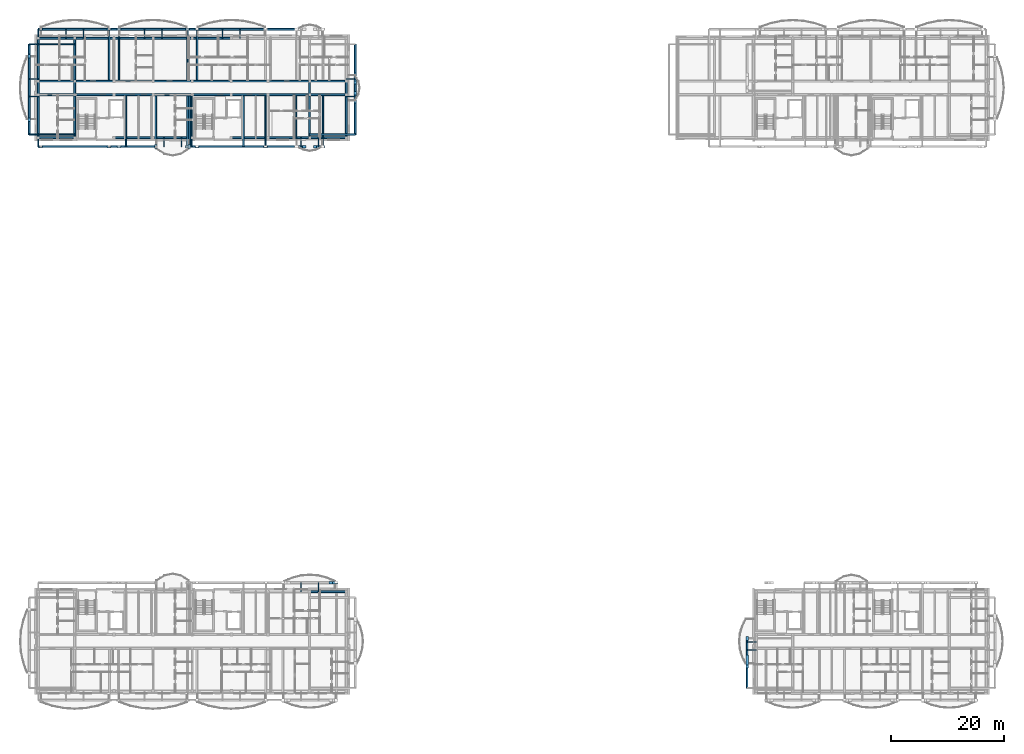
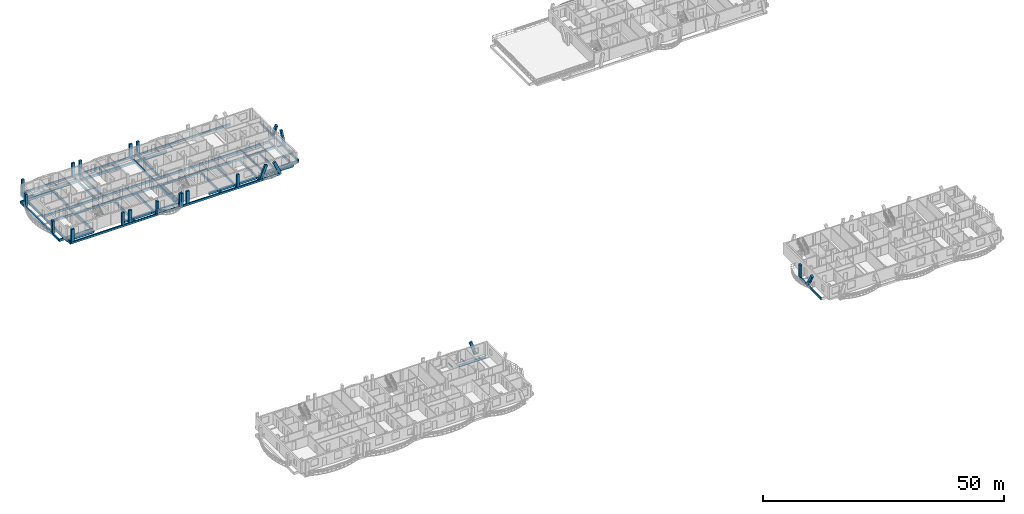
# One storey, part 4 of 44: 79 beams, 22 members.
"""IFC4 building model written with IfcOpenShell, lengths in metres."""

from ifc_helpers import new_model, si_unit, direction, frame, origin, origin_2d, place, context, subcontext, project, spatial, rectangle, i_section, extrude, material, material_profile, profile_set, type_object, element, save


model = new_model("IFC4")

# Units and contexts
model_context = context("Model", 3, precision=1e-05, world=origin(), true_north=direction((0.0, 1.0)))
body_context = subcontext(model_context, "Body", "Model", "MODEL_VIEW")
ifc_project = project(units=[si_unit("LENGTHUNIT", "METRE"), si_unit("AREAUNIT", "SQUARE_METRE"), si_unit("VOLUMEUNIT", "CUBIC_METRE"), si_unit("PLANEANGLEUNIT", "RADIAN"), si_unit("MASSUNIT", "GRAM", prefix="KILO")], contexts=[model_context])

# Site, building, storey
site_placement = place(None, origin())
site = spatial("IfcSite", under=ifc_project, at=site_placement, CompositionType="ELEMENT")
building_placement = place(site_placement, origin())
building = spatial("IfcBuilding", under=site, at=building_placement, Name="Zavelmont Quarter", CompositionType="ELEMENT")
storey_placement = place(building_placement, frame((0.0, 0.0, 20.800048828125)))
storey = spatial("IfcBuildingStorey", under=building, at=storey_placement, Name="L06", CompositionType="ELEMENT", Elevation=20.800048828125)

# Beams
ifc_material_1 = material(Name="Concrete C35/45", Category="concrete")
ifc_material_profile_1 = material_profile(ifc_material_1, rectangle(XDim=0.35009765625, YDim=0.60009765625, at=origin_2d()), Name="RC350X600")
ifc_profile_set_1 = profile_set([ifc_material_profile_1], Name="Concrete C35/45")
beam_type_1 = type_object("IfcBeamType", Name="BM01", PredefinedType="SPANDREL", material=ifc_profile_set_1)
for number, where, z_axis, x_axis, name in (
    (1, (48.300048828125, 17.9599609375, -0.550048828125), (1.0, 0.0, 0.0), (0.0, 1.0, 0.0), "L06 beam BM01 8/D to 9/D"),
    (2, (0.43994140625, 98.0400390625, -0.550048828125), (1.0, 0.0, 0.0), (0.0, 1.0, 0.0), "L06 beam BM01 1/P to 2/P"),
):
    element("IfcBeam", number, at=place(storey_placement, frame(where, z_axis=z_axis, x_axis=x_axis)), inside=storey, type_object=beam_type_1, Name=name, PredefinedType="SPANDREL", context=body_context, shape_type="SweptSolid", body=[
        extrude(rectangle(XDim=0.35009765625, YDim=0.60009765625, at=origin_2d()), origin(), (0.0, 0.0, 1.0), 6.4599609375),
    ])
beam_1_placement = place(storey_placement, frame((13.800048828125, 98.0400390625, -0.550048828125), z_axis=(1.0, 0.0, 0.0), x_axis=(0.0, 1.0, 0.0)))
element("IfcBeam", 3, at=beam_1_placement, inside=storey, type_object=beam_type_1, Name="L06 beam BM01 3/P to 4/P", PredefinedType="SPANDREL", context=body_context, shape_type="SweptSolid", body=[
    extrude(rectangle(XDim=0.35009765625, YDim=0.60009765625, at=origin_2d()), origin(), (0.0, 0.0, 1.0), 6.89990234375),
])
beam_2_placement = place(storey_placement, frame((20.699951171875, 98.0400390625, -0.550048828125), z_axis=(1.0, 0.0, 0.0), x_axis=(0.0, 1.0, 0.0)))
element("IfcBeam", 4, at=beam_2_placement, inside=storey, type_object=beam_type_1, Name="L06 beam BM01 4/P to 5/P", PredefinedType="SPANDREL", context=body_context, shape_type="SweptSolid", body=[
    extrude(rectangle(XDim=0.35009765625, YDim=0.60009765625, at=origin_2d()), origin(), (0.0, 0.0, 1.0), 6.900146484375),
])
beam_3_placement = place(storey_placement, frame((34.5, 98.0400390625, -0.550048828125), z_axis=(1.0, 0.0, 0.0), x_axis=(0.0, 1.0, 0.0)))
element("IfcBeam", 5, at=beam_3_placement, inside=storey, type_object=beam_type_1, Name="L06 beam BM01 6/P to 7/P", PredefinedType="SPANDREL", context=body_context, shape_type="SweptSolid", body=[
    extrude(rectangle(XDim=0.35009765625, YDim=0.60009765625, at=origin_2d()), origin(), (0.0, 0.0, 1.0), 6.4599609375),
])
beam_4_placement = place(storey_placement, frame((40.9599609375, 98.0400390625, -0.550048828125), z_axis=(1.0, 0.0, 0.0), x_axis=(0.0, 1.0, 0.0)))
element("IfcBeam", 6, at=beam_4_placement, inside=storey, type_object=beam_type_1, Name="L06 beam BM01 7/P to 8/P", PredefinedType="SPANDREL", context=body_context, shape_type="SweptSolid", body=[
    extrude(rectangle(XDim=0.35009765625, YDim=0.60009765625, at=origin_2d()), origin(), (0.0, 0.0, 1.0), 7.340087890625),
])
for number, where, z_axis, x_axis, name in (
    (7, (48.300048828125, 98.0400390625, -0.550048828125), (1.0, 0.0, 0.0), (0.0, 1.0, 0.0), "L06 beam BM01 8/P to 9/P"),
    (8, (0.43994140625, 115.56005859375, -0.550048828125), (1.0, 0.0, 0.0), (0.0, 1.0, 0.0), "L06 beam BM01 1/S to 2/S"),
):
    element("IfcBeam", number, at=place(storey_placement, frame(where, z_axis=z_axis, x_axis=x_axis)), inside=storey, type_object=beam_type_1, Name=name, PredefinedType="SPANDREL", context=body_context, shape_type="SweptSolid", body=[
        extrude(rectangle(XDim=0.35009765625, YDim=0.60009765625, at=origin_2d()), origin(), (0.0, 0.0, 1.0), 6.4599609375),
    ])
beam_5_placement = place(storey_placement, frame((6.89990234375, 115.56005859375, -0.550048828125), z_axis=(1.0, 0.0, 0.0), x_axis=(0.0, 1.0, 0.0)))
element("IfcBeam", 9, at=beam_5_placement, inside=storey, type_object=beam_type_1, Name="L06 beam BM01 2/S to 3/S", PredefinedType="SPANDREL", context=body_context, shape_type="SweptSolid", body=[
    extrude(rectangle(XDim=0.35009765625, YDim=0.60009765625, at=origin_2d()), origin(), (0.0, 0.0, 1.0), 6.900146484375),
])
beam_6_placement = place(storey_placement, frame((13.800048828125, 115.56005859375, -0.550048828125), z_axis=(1.0, 0.0, 0.0), x_axis=(0.0, 1.0, 0.0)))
element("IfcBeam", 10, at=beam_6_placement, inside=storey, type_object=beam_type_1, Name="L06 beam BM01 3/S to 4/S", PredefinedType="SPANDREL", context=body_context, shape_type="SweptSolid", body=[
    extrude(rectangle(XDim=0.35009765625, YDim=0.60009765625, at=origin_2d()), origin(), (0.0, 0.0, 1.0), 6.89990234375),
])
beam_7_placement = place(storey_placement, frame((20.699951171875, 115.56005859375, -0.550048828125), z_axis=(1.0, 0.0, 0.0), x_axis=(0.0, 1.0, 0.0)))
element("IfcBeam", 11, at=beam_7_placement, inside=storey, type_object=beam_type_1, Name="L06 beam BM01 4/S to 5/S", PredefinedType="SPANDREL", context=body_context, shape_type="SweptSolid", body=[
    extrude(rectangle(XDim=0.35009765625, YDim=0.60009765625, at=origin_2d()), origin(), (0.0, 0.0, 1.0), 6.900146484375),
])
beam_8_placement = place(storey_placement, frame((27.60009765625, 115.56005859375, -0.550048828125), z_axis=(1.0, 0.0, 0.0), x_axis=(0.0, 1.0, 0.0)))
element("IfcBeam", 12, at=beam_8_placement, inside=storey, type_object=beam_type_1, Name="L06 beam BM01 5/S to 6/S", PredefinedType="SPANDREL", context=body_context, shape_type="SweptSolid", body=[
    extrude(rectangle(XDim=0.35009765625, YDim=0.60009765625, at=origin_2d()), origin(), (0.0, 0.0, 1.0), 6.89990234375),
])
ifc_material_profile_2 = material_profile(ifc_material_1, rectangle(XDim=0.300048828125, YDim=0.550048828125, at=origin_2d()), Name="RC300X550")
ifc_profile_set_2 = profile_set([ifc_material_profile_2], Name="Concrete C35/45")
beam_type_2 = type_object("IfcBeamType", Name="BM02", PredefinedType="SPANDREL", material=ifc_profile_set_2)
beam_9_placement = place(storey_placement, frame((0.43994140625, 105.60009765625, -0.525146484375), z_axis=(1.0, 0.0, 0.0), x_axis=(0.0, 1.0, 0.0)))
element("IfcBeam", 13, at=beam_9_placement, inside=storey, type_object=beam_type_2, Name="L06 beam BM02 1/Q to 2/Q", PredefinedType="SPANDREL", context=body_context, shape_type="SweptSolid", body=[
    extrude(rectangle(XDim=0.300048828125, YDim=0.550048828125, at=origin_2d()), origin(), (0.0, 0.0, 1.0), 6.4599609375),
])
beam_10_placement = place(storey_placement, frame((6.89990234375, 105.60009765625, -0.525146484375), z_axis=(1.0, 0.0, 0.0), x_axis=(0.0, 1.0, 0.0)))
element("IfcBeam", 14, at=beam_10_placement, inside=storey, type_object=beam_type_2, Name="L06 beam BM02 2/Q to 3/Q", PredefinedType="SPANDREL", context=body_context, shape_type="SweptSolid", body=[
    extrude(rectangle(XDim=0.300048828125, YDim=0.550048828125, at=origin_2d()), origin(), (0.0, 0.0, 1.0), 6.900146484375),
])
beam_11_placement = place(storey_placement, frame((13.800048828125, 105.60009765625, -0.525146484375), z_axis=(1.0, 0.0, 0.0), x_axis=(0.0, 1.0, 0.0)))
element("IfcBeam", 15, at=beam_11_placement, inside=storey, type_object=beam_type_2, Name="L06 beam BM02 3/Q to 4/Q", PredefinedType="SPANDREL", context=body_context, shape_type="SweptSolid", body=[
    extrude(rectangle(XDim=0.300048828125, YDim=0.550048828125, at=origin_2d()), origin(), (0.0, 0.0, 1.0), 6.89990234375),
])
beam_12_placement = place(storey_placement, frame((20.699951171875, 105.60009765625, -0.525146484375), z_axis=(1.0, 0.0, 0.0), x_axis=(0.0, 1.0, 0.0)))
element("IfcBeam", 16, at=beam_12_placement, inside=storey, type_object=beam_type_2, Name="L06 beam BM02 4/Q to 5/Q", PredefinedType="SPANDREL", context=body_context, shape_type="SweptSolid", body=[
    extrude(rectangle(XDim=0.300048828125, YDim=0.550048828125, at=origin_2d()), origin(), (0.0, 0.0, 1.0), 6.900146484375),
])
beam_13_placement = place(storey_placement, frame((27.60009765625, 105.60009765625, -0.525146484375), z_axis=(1.0, 0.0, 0.0), x_axis=(0.0, 1.0, 0.0)))
element("IfcBeam", 17, at=beam_13_placement, inside=storey, type_object=beam_type_2, Name="L06 beam BM02 5/Q to 6/Q", PredefinedType="SPANDREL", context=body_context, shape_type="SweptSolid", body=[
    extrude(rectangle(XDim=0.300048828125, YDim=0.550048828125, at=origin_2d()), origin(), (0.0, 0.0, 1.0), 6.89990234375),
])
beam_14_placement = place(storey_placement, frame((34.5, 105.60009765625, -0.525146484375), z_axis=(1.0, 0.0, 0.0), x_axis=(0.0, 1.0, 0.0)))
element("IfcBeam", 18, at=beam_14_placement, inside=storey, type_object=beam_type_2, Name="L06 beam BM02 6/Q to 7/Q", PredefinedType="SPANDREL", context=body_context, shape_type="SweptSolid", body=[
    extrude(rectangle(XDim=0.300048828125, YDim=0.550048828125, at=origin_2d()), origin(), (0.0, 0.0, 1.0), 6.4599609375),
])
beam_15_placement = place(storey_placement, frame((40.9599609375, 105.60009765625, -0.525146484375), z_axis=(1.0, 0.0, 0.0), x_axis=(0.0, 1.0, 0.0)))
element("IfcBeam", 19, at=beam_15_placement, inside=storey, type_object=beam_type_2, Name="L06 beam BM02 7/Q to 8/Q", PredefinedType="SPANDREL", context=body_context, shape_type="SweptSolid", body=[
    extrude(rectangle(XDim=0.300048828125, YDim=0.550048828125, at=origin_2d()), origin(), (0.0, 0.0, 1.0), 7.340087890625),
])
for number, where, z_axis, x_axis, name in (
    (20, (48.300048828125, 105.60009765625, -0.525146484375), (1.0, 0.0, 0.0), (0.0, 1.0, 0.0), "L06 beam BM02 8/Q to 9/Q"),
    (21, (0.43994140625, 108.0, -0.525146484375), (1.0, 0.0, 0.0), (0.0, 1.0, 0.0), "L06 beam BM02 1/R to 2/R"),
):
    element("IfcBeam", number, at=place(storey_placement, frame(where, z_axis=z_axis, x_axis=x_axis)), inside=storey, type_object=beam_type_2, Name=name, PredefinedType="SPANDREL", context=body_context, shape_type="SweptSolid", body=[
        extrude(rectangle(XDim=0.300048828125, YDim=0.550048828125, at=origin_2d()), origin(), (0.0, 0.0, 1.0), 6.4599609375),
    ])
beam_16_placement = place(storey_placement, frame((6.89990234375, 108.0, -0.525146484375), z_axis=(1.0, 0.0, 0.0), x_axis=(0.0, 1.0, 0.0)))
element("IfcBeam", 22, at=beam_16_placement, inside=storey, type_object=beam_type_2, Name="L06 beam BM02 2/R to 3/R", PredefinedType="SPANDREL", context=body_context, shape_type="SweptSolid", body=[
    extrude(rectangle(XDim=0.300048828125, YDim=0.550048828125, at=origin_2d()), origin(), (0.0, 0.0, 1.0), 6.900146484375),
])
beam_17_placement = place(storey_placement, frame((13.800048828125, 108.0, -0.525146484375), z_axis=(1.0, 0.0, 0.0), x_axis=(0.0, 1.0, 0.0)))
element("IfcBeam", 23, at=beam_17_placement, inside=storey, type_object=beam_type_2, Name="L06 beam BM02 3/R to 4/R", PredefinedType="SPANDREL", context=body_context, shape_type="SweptSolid", body=[
    extrude(rectangle(XDim=0.300048828125, YDim=0.550048828125, at=origin_2d()), origin(), (0.0, 0.0, 1.0), 6.89990234375),
])
beam_18_placement = place(storey_placement, frame((20.699951171875, 108.0, -0.525146484375), z_axis=(1.0, 0.0, 0.0), x_axis=(0.0, 1.0, 0.0)))
element("IfcBeam", 24, at=beam_18_placement, inside=storey, type_object=beam_type_2, Name="L06 beam BM02 4/R to 5/R", PredefinedType="SPANDREL", context=body_context, shape_type="SweptSolid", body=[
    extrude(rectangle(XDim=0.300048828125, YDim=0.550048828125, at=origin_2d()), origin(), (0.0, 0.0, 1.0), 6.900146484375),
])
beam_19_placement = place(storey_placement, frame((27.60009765625, 108.0, -0.525146484375), z_axis=(1.0, 0.0, 0.0), x_axis=(0.0, 1.0, 0.0)))
element("IfcBeam", 25, at=beam_19_placement, inside=storey, type_object=beam_type_2, Name="L06 beam BM02 5/R to 6/R", PredefinedType="SPANDREL", context=body_context, shape_type="SweptSolid", body=[
    extrude(rectangle(XDim=0.300048828125, YDim=0.550048828125, at=origin_2d()), origin(), (0.0, 0.0, 1.0), 6.89990234375),
])
beam_20_placement = place(storey_placement, frame((34.5, 108.0, -0.525146484375), z_axis=(1.0, 0.0, 0.0), x_axis=(0.0, 1.0, 0.0)))
element("IfcBeam", 26, at=beam_20_placement, inside=storey, type_object=beam_type_2, Name="L06 beam BM02 6/R to 7/R", PredefinedType="SPANDREL", context=body_context, shape_type="SweptSolid", body=[
    extrude(rectangle(XDim=0.300048828125, YDim=0.550048828125, at=origin_2d()), origin(), (0.0, 0.0, 1.0), 6.4599609375),
])
beam_21_placement = place(storey_placement, frame((40.9599609375, 108.0, -0.525146484375), z_axis=(1.0, 0.0, 0.0), x_axis=(0.0, 1.0, 0.0)))
element("IfcBeam", 27, at=beam_21_placement, inside=storey, type_object=beam_type_2, Name="L06 beam BM02 7/R to 8/R", PredefinedType="SPANDREL", context=body_context, shape_type="SweptSolid", body=[
    extrude(rectangle(XDim=0.300048828125, YDim=0.550048828125, at=origin_2d()), origin(), (0.0, 0.0, 1.0), 7.340087890625),
])
beam_22_placement = place(storey_placement, frame((48.300048828125, 108.0, -0.525146484375), z_axis=(1.0, 0.0, 0.0), x_axis=(0.0, 1.0, 0.0)))
element("IfcBeam", 28, at=beam_22_placement, inside=storey, type_object=beam_type_2, Name="L06 beam BM02 8/R to 9/R", PredefinedType="SPANDREL", context=body_context, shape_type="SweptSolid", body=[
    extrude(rectangle(XDim=0.300048828125, YDim=0.550048828125, at=origin_2d()), origin(), (0.0, 0.0, 1.0), 6.4599609375),
])
beam_23_placement = place(storey_placement, frame((0.43994140625, 98.0400390625, -0.525146484375), z_axis=(0.0, 1.0, 0.0), x_axis=(-1.0, 0.0, 0.0)))
element("IfcBeam", 29, at=beam_23_placement, inside=storey, type_object=beam_type_2, Name="L06 beam BM02 1/P to 1/Q", PredefinedType="SPANDREL", context=body_context, shape_type="SweptSolid", body=[
    extrude(rectangle(XDim=0.300048828125, YDim=0.550048828125, at=origin_2d()), origin(), (0.0, 0.0, 1.0), 7.56005859375),
])
beam_24_placement = place(storey_placement, frame((0.43994140625, 105.60009765625, -0.525146484375), z_axis=(0.0, 1.0, 0.0), x_axis=(-1.0, 0.0, 0.0)))
element("IfcBeam", 30, at=beam_24_placement, inside=storey, type_object=beam_type_2, Name="L06 beam BM02 1/Q to 1/R", PredefinedType="SPANDREL", context=body_context, shape_type="SweptSolid", body=[
    extrude(rectangle(XDim=0.300048828125, YDim=0.550048828125, at=origin_2d()), origin(), (0.0, 0.0, 1.0), 2.39990234375),
])
for number, where, z_axis, x_axis, name in (
    (31, (0.43994140625, 108.0, -0.525146484375), (0.0, 1.0, 0.0), (-1.0, 0.0, 0.0), "L06 beam BM02 1/R to 1/S"),
    (32, (6.89990234375, 98.0400390625, -0.525146484375), (0.0, 1.0, 0.0), (-1.0, 0.0, 0.0), "L06 beam BM02 2/P to 2/Q"),
):
    element("IfcBeam", number, at=place(storey_placement, frame(where, z_axis=z_axis, x_axis=x_axis)), inside=storey, type_object=beam_type_2, Name=name, PredefinedType="SPANDREL", context=body_context, shape_type="SweptSolid", body=[
        extrude(rectangle(XDim=0.300048828125, YDim=0.550048828125, at=origin_2d()), origin(), (0.0, 0.0, 1.0), 7.56005859375),
    ])
beam_25_placement = place(storey_placement, frame((6.89990234375, 105.60009765625, -0.525146484375), z_axis=(0.0, 1.0, 0.0), x_axis=(-1.0, 0.0, 0.0)))
element("IfcBeam", 33, at=beam_25_placement, inside=storey, type_object=beam_type_2, Name="L06 beam BM02 2/Q to 2/R", PredefinedType="SPANDREL", context=body_context, shape_type="SweptSolid", body=[
    extrude(rectangle(XDim=0.300048828125, YDim=0.550048828125, at=origin_2d()), origin(), (0.0, 0.0, 1.0), 2.39990234375),
])
for number, where, z_axis, x_axis, name in (
    (34, (6.89990234375, 108.0, -0.525146484375), (0.0, 1.0, 0.0), (-1.0, 0.0, 0.0), "L06 beam BM02 2/R to 2/S"),
    (35, (48.300048828125, 98.0400390625, -0.525146484375), (0.0, 1.0, 0.0), (-1.0, 0.0, 0.0), "L06 beam BM02 8/P to 8/Q"),
):
    element("IfcBeam", number, at=place(storey_placement, frame(where, z_axis=z_axis, x_axis=x_axis)), inside=storey, type_object=beam_type_2, Name=name, PredefinedType="SPANDREL", context=body_context, shape_type="SweptSolid", body=[
        extrude(rectangle(XDim=0.300048828125, YDim=0.550048828125, at=origin_2d()), origin(), (0.0, 0.0, 1.0), 7.56005859375),
    ])
beam_26_placement = place(storey_placement, frame((48.300048828125, 105.60009765625, -0.525146484375), z_axis=(0.0, 1.0, 0.0), x_axis=(-1.0, 0.0, 0.0)))
element("IfcBeam", 36, at=beam_26_placement, inside=storey, type_object=beam_type_2, Name="L06 beam BM02 8/Q to 8/R", PredefinedType="SPANDREL", context=body_context, shape_type="SweptSolid", body=[
    extrude(rectangle(XDim=0.300048828125, YDim=0.550048828125, at=origin_2d()), origin(), (0.0, 0.0, 1.0), 2.39990234375),
])
beam_27_placement = place(storey_placement, frame((54.760009765625, 98.0400390625, -0.525146484375), z_axis=(0.0, 1.0, 0.0), x_axis=(-1.0, 0.0, 0.0)))
element("IfcBeam", 37, at=beam_27_placement, inside=storey, type_object=beam_type_2, Name="L06 beam BM02 9/P to 9/Q", PredefinedType="SPANDREL", context=body_context, shape_type="SweptSolid", body=[
    extrude(rectangle(XDim=0.300048828125, YDim=0.550048828125, at=origin_2d()), origin(), (0.0, 0.0, 1.0), 7.56005859375),
])
beam_28_placement = place(storey_placement, frame((54.760009765625, 105.60009765625, -0.525146484375), z_axis=(0.0, 1.0, 0.0), x_axis=(-1.0, 0.0, 0.0)))
element("IfcBeam", 38, at=beam_28_placement, inside=storey, type_object=beam_type_2, Name="L06 beam BM02 9/Q to 9/R", PredefinedType="SPANDREL", context=body_context, shape_type="SweptSolid", body=[
    extrude(rectangle(XDim=0.300048828125, YDim=0.550048828125, at=origin_2d()), origin(), (0.0, 0.0, 1.0), 2.39990234375),
])
ifc_material_profile_3 = material_profile(ifc_material_1, rectangle(XDim=0.300048828125, YDim=0.5, at=origin_2d()), Name="RC300X500")
ifc_profile_set_3 = profile_set([ifc_material_profile_3], Name="Concrete C35/45")
beam_type_3 = type_object("IfcBeamType", Name="BM03", PredefinedType="BEAM", material=ifc_profile_set_3)
for number, where, z_axis, x_axis, name in (
    (39, (0.43994140625, 117.14990234375, -0.25), (1.0, 0.0, 0.0), (0.0, 1.0, 0.0), "L06 beam BM03 1/S to 8/S"),
    (40, (0.43994140625, 96.449951171875, -0.25), (1.0, 0.0, 0.0), (0.0, 1.0, 0.0), "L06 beam BM03 1/P to 8/P"),
):
    element("IfcBeam", number, at=place(storey_placement, frame(where, z_axis=z_axis, x_axis=x_axis)), inside=storey, type_object=beam_type_3, Name=name, PredefinedType="BEAM", context=body_context, shape_type="SweptSolid", body=[
        extrude(rectangle(XDim=0.300048828125, YDim=0.5, at=origin_2d()), origin(), (0.0, 0.0, 1.0), 50.22607421875),
    ])
for number, where, z_axis, x_axis, name in (
    (41, (-1.14990234375, 98.550048828125, -0.25), (0.0, 1.0, 0.0), (-1.0, 0.0, 0.0), "L06 beam BM03 1/P to 1/S"),
    (42, (56.35009765625, 98.550048828125, -0.25), (0.0, 1.0, 0.0), (-1.0, 0.0, 0.0), "L06 beam BM03 9/P to 9/S"),
):
    element("IfcBeam", number, at=place(storey_placement, frame(where, z_axis=z_axis, x_axis=x_axis)), inside=storey, type_object=beam_type_3, Name=name, PredefinedType="BEAM", context=body_context, shape_type="SweptSolid", body=[
        extrude(rectangle(XDim=0.300048828125, YDim=0.5, at=origin_2d()), origin(), (0.0, 0.0, 1.0), 15.949951171875),
    ])
beam_29_placement = place(storey_placement, frame((125.449951171875, 0.949951171875, -0.25), z_axis=(0.0, 1.0, 0.0), x_axis=(-1.0, 0.0, 0.0)))
element("IfcBeam", 43, at=beam_29_placement, inside=storey, type_object=beam_type_3, Name="L06 beam BM03 19/A to 19/C", PredefinedType="BEAM", context=body_context, shape_type="SweptSolid", body=[
    extrude(rectangle(XDim=0.300048828125, YDim=0.5, at=origin_2d()), origin(), (0.0, 0.0, 1.0), 8.800048828125),
])
ifc_material_2 = material(Name="Steel S355", Category="steel")
ifc_material_profile_4 = material_profile(ifc_material_2, i_section(OverallWidth=0.110107421875, OverallDepth=0.219970703125, WebThickness=0.005859375, FlangeThickness=0.00927734375, at=origin_2d()), Name="IPE 220")
ifc_profile_set_4 = profile_set([ifc_material_profile_4], Name="Steel S355")
beam_type_4 = type_object("IfcBeamType", Name="BM15", PredefinedType="JOIST", material=ifc_profile_set_4)
for number, where, z_axis, x_axis, name in (
    (44, (46.75, 17.9599609375, -0.366943359375), (0.0, 1.0, 0.0), (-1.0, 0.0, 0.0), "L06 beam BM15 8/D to 8/D"),
    (45, (49.85009765625, 17.9599609375, -0.366943359375), (0.0, 1.0, 0.0), (-1.0, 0.0, 0.0), "L06 beam BM15 8/D to 8/D"),
):
    element("IfcBeam", number, at=place(storey_placement, frame(where, z_axis=z_axis, x_axis=x_axis)), inside=storey, type_object=beam_type_4, Name=name, PredefinedType="JOIST", context=body_context, shape_type="SweptSolid", body=[
        extrude(i_section(OverallWidth=0.110107421875, OverallDepth=0.219970703125, WebThickness=0.005859375, FlangeThickness=0.00927734375, at=origin_2d()), origin(), (0.0, 0.0, 1.0), 1.590087890625),
    ])
for number, where, z_axis, x_axis, name in (
    (46, (5.35009765625, 115.56005859375, -0.362060546875), (0.0, 1.0, 0.0), (-1.0, 0.0, 0.0), "L06 beam BM15 2/S to 2/S"),
    (47, (8.449951171875, 115.56005859375, -0.362060546875), (0.0, 1.0, 0.0), (-1.0, 0.0, 0.0), "L06 beam BM15 2/S to 2/S"),
    (48, (19.14990234375, 115.56005859375, -0.362060546875), (0.0, 1.0, 0.0), (-1.0, 0.0, 0.0), "L06 beam BM15 4/S to 4/S"),
    (49, (22.25, 115.56005859375, -0.362060546875), (0.0, 1.0, 0.0), (-1.0, 0.0, 0.0), "L06 beam BM15 4/S to 4/S"),
    (50, (32.949951171875, 115.56005859375, -0.366943359375), (0.0, 1.0, 0.0), (-1.0, 0.0, 0.0), "L06 beam BM15 6/S to 6/S"),
    (51, (36.050048828125, 115.56005859375, -0.366943359375), (0.0, 1.0, 0.0), (-1.0, 0.0, 0.0), "L06 beam BM15 6/S to 6/S"),
    (52, (0.43994140625, 105.25, -0.362060546875), (-1.0, 0.0, 0.0), (0.0, -1.0, 0.0), "L06 beam BM15 1/Q to 1/Q"),
    (53, (0.43994140625, 108.35009765625, -0.362060546875), (-1.0, 0.0, 0.0), (0.0, -1.0, 0.0), "L06 beam BM15 1/R to 1/R"),
):
    element("IfcBeam", number, at=place(storey_placement, frame(where, z_axis=z_axis, x_axis=x_axis)), inside=storey, type_object=beam_type_4, Name=name, PredefinedType="JOIST", context=body_context, shape_type="SweptSolid", body=[
        extrude(i_section(OverallWidth=0.110107421875, OverallDepth=0.219970703125, WebThickness=0.005859375, FlangeThickness=0.00927734375, at=origin_2d()), origin(), (0.0, 0.0, 1.0), 1.58984375),
    ])
for number, where, z_axis, x_axis, name in (
    (54, (54.760009765625, 105.25, -0.366943359375), (1.0, 0.0, 0.0), (0.0, 1.0, 0.0), "L06 beam BM15 9/Q to 9/Q"),
    (55, (54.760009765625, 108.35009765625, -0.366943359375), (1.0, 0.0, 0.0), (0.0, 1.0, 0.0), "L06 beam BM15 9/R to 9/R"),
    (56, (46.75, 98.0400390625, -0.366943359375), (0.0, -1.0, 0.0), (1.0, 0.0, 0.0), "L06 beam BM15 8/P to 8/P"),
    (57, (49.85009765625, 98.0400390625, -0.366943359375), (0.0, -1.0, 0.0), (1.0, 0.0, 0.0), "L06 beam BM15 8/P to 8/P"),
    (58, (22.60009765625, 98.0400390625, -0.362060546875), (0.0, -1.0, 0.0), (1.0, 0.0, 0.0), "L06 beam BM15 4/P to 4/P"),
    (59, (25.699951171875, 98.0400390625, -0.362060546875), (0.0, -1.0, 0.0), (1.0, 0.0, 0.0), "L06 beam BM15 5/P to 5/P"),
    (60, (127.0400390625, 7.64990234375, -0.366943359375), (-1.0, 0.0, 0.0), (0.0, -1.0, 0.0), "L06 beam BM15 19/B to 19/B"),
    (61, (127.0400390625, 9.10009765625, -0.366943359375), (-1.0, 0.0, 0.0), (0.0, -1.0, 0.0), "L06 beam BM15 19/B to 19/B"),
):
    element("IfcBeam", number, at=place(storey_placement, frame(where, z_axis=z_axis, x_axis=x_axis)), inside=storey, type_object=beam_type_4, Name=name, PredefinedType="JOIST", context=body_context, shape_type="SweptSolid", body=[
        extrude(i_section(OverallWidth=0.110107421875, OverallDepth=0.219970703125, WebThickness=0.005859375, FlangeThickness=0.00927734375, at=origin_2d()), origin(), (0.0, 0.0, 1.0), 1.590087890625),
    ])
ifc_material_3 = material(Name="Concrete C40/50", Category="concrete")
ifc_material_profile_5 = material_profile(ifc_material_3, rectangle(XDim=0.25, YDim=0.60009765625, at=origin_2d()), Name="RC250X600")
ifc_profile_set_5 = profile_set([ifc_material_profile_5], Name="Concrete C40/50")
beam_type_5 = type_object("IfcBeamType", Name="BM18", PredefinedType="BEAM", material=ifc_profile_set_5)
beam_30_placement = place(storey_placement, frame((0.43994140625, 115.56005859375, -0.300048828125), z_axis=(0.0, 1.0, 0.0), x_axis=(-1.0, 0.0, 0.0)))
element("IfcBeam", 62, at=beam_30_placement, inside=storey, type_object=beam_type_5, Name="L06 beam BM18 1/S to 1/S", PredefinedType="BEAM", context=body_context, shape_type="SweptSolid", body=[
    extrude(rectangle(XDim=0.25, YDim=0.60009765625, at=origin_2d()), origin(), (0.0, 0.0, 1.0), 1.58984375),
])
for number, where, z_axis, x_axis, name in (
    (63, (12.945556640625, 108.0, -0.300048828125), (0.0, 1.0, 0.0), (-1.0, 0.0, 0.0), "L06 beam BM18 3/R to 3/S"),
    (64, (14.654296875, 108.0, -0.300048828125), (0.0, 1.0, 0.0), (-1.0, 0.0, 0.0), "L06 beam BM18 3/R to 3/S"),
    (65, (26.74560546875, 108.0, -0.300048828125), (0.0, 1.0, 0.0), (-1.0, 0.0, 0.0), "L06 beam BM18 5/R to 5/S"),
    (66, (28.454345703125, 108.0, -0.300048828125), (0.0, 1.0, 0.0), (-1.0, 0.0, 0.0), "L06 beam BM18 5/R to 5/S"),
):
    element("IfcBeam", number, at=place(storey_placement, frame(where, z_axis=z_axis, x_axis=x_axis)), inside=storey, type_object=beam_type_5, Name=name, PredefinedType="BEAM", context=body_context, shape_type="SweptSolid", body=[
        extrude(rectangle(XDim=0.25, YDim=0.60009765625, at=origin_2d()), origin(), (0.0, 0.0, 1.0), 9.14990234375),
    ])
beam_31_placement = place(storey_placement, frame((0.43994140625, 98.0400390625, -0.300048828125), z_axis=(0.0, -1.0, 0.0), x_axis=(1.0, 0.0, 0.0)))
element("IfcBeam", 67, at=beam_31_placement, inside=storey, type_object=beam_type_5, Name="L06 beam BM18 1/P to 1/P", PredefinedType="BEAM", context=body_context, shape_type="SweptSolid", body=[
    extrude(rectangle(XDim=0.25, YDim=0.60009765625, at=origin_2d()), origin(), (0.0, 0.0, 1.0), 1.590087890625),
])
for number, where, z_axis, x_axis, name in (
    (68, (15.925048828125, 105.60009765625, -0.300048828125), (0.0, -1.0, 0.0), (1.0, 0.0, 0.0), "L06 beam BM18 3/Q to 3/P"),
    (69, (26.74560546875, 105.60009765625, -0.300048828125), (0.0, -1.0, 0.0), (1.0, 0.0, 0.0), "L06 beam BM18 5/Q to 5/P"),
    (70, (27.5, 105.60009765625, -0.300048828125), (0.0, -1.0, 0.0), (1.0, 0.0, 0.0), "L06 beam BM18 5/Q to 5/P"),
    (71, (36.625, 105.60009765625, -0.300048828125), (0.0, -1.0, 0.0), (1.0, 0.0, 0.0), "L06 beam BM18 6/Q to 6/P"),
    (72, (40.545654296875, 105.60009765625, -0.300048828125), (0.0, -1.0, 0.0), (1.0, 0.0, 0.0), "L06 beam BM18 7/Q to 7/P"),
    (73, (45.9345703125, 105.60009765625, -0.300048828125), (0.0, -1.0, 0.0), (1.0, 0.0, 0.0), "L06 beam BM18 8/Q to 8/P"),
    (74, (50.66552734375, 105.60009765625, -0.300048828125), (0.0, -1.0, 0.0), (1.0, 0.0, 0.0), "L06 beam BM18 8/Q to 8/P"),
    (75, (21.199951171875, 105.60009765625, -0.300048828125), (0.0, -1.0, 0.0), (1.0, 0.0, 0.0), "L06 beam BM18 4/Q to 4/P"),
    (76, (27.10009765625, 105.60009765625, -0.300048828125), (0.0, -1.0, 0.0), (1.0, 0.0, 0.0), "L06 beam BM18 5/Q to 5/P"),
):
    element("IfcBeam", number, at=place(storey_placement, frame(where, z_axis=z_axis, x_axis=x_axis)), inside=storey, type_object=beam_type_5, Name=name, PredefinedType="BEAM", context=body_context, shape_type="SweptSolid", body=[
        extrude(rectangle(XDim=0.25, YDim=0.60009765625, at=origin_2d()), origin(), (0.0, 0.0, 1.0), 9.150146484375),
    ])
for number, where, z_axis, x_axis, name in (
    (77, (6.89990234375, 98.550048828125, -0.300048828125), (-1.0, 0.0, 0.0), (0.0, -1.0, 0.0), "L06 beam BM18 2/P to 1/P"),
    (78, (6.89990234375, 114.5, -0.300048828125), (-1.0, 0.0, 0.0), (0.0, -1.0, 0.0), "L06 beam BM18 2/S to 1/S"),
):
    element("IfcBeam", number, at=place(storey_placement, frame(where, z_axis=z_axis, x_axis=x_axis)), inside=storey, type_object=beam_type_5, Name=name, PredefinedType="BEAM", context=body_context, shape_type="SweptSolid", body=[
        extrude(rectangle(XDim=0.25, YDim=0.60009765625, at=origin_2d()), origin(), (0.0, 0.0, 1.0), 8.0498046875),
    ])
beam_32_placement = place(storey_placement, frame((48.300048828125, 98.550048828125, -0.300048828125), z_axis=(1.0, 0.0, 0.0), x_axis=(0.0, 1.0, 0.0)))
element("IfcBeam", 79, at=beam_32_placement, inside=storey, type_object=beam_type_5, Name="L06 beam BM18 8/P to 9/P", PredefinedType="BEAM", context=body_context, shape_type="SweptSolid", body=[
    extrude(rectangle(XDim=0.25, YDim=0.60009765625, at=origin_2d()), origin(), (0.0, 0.0, 1.0), 8.050048828125),
])

# Members
ifc_material_4 = material(Name="White architectural precast concrete C40/50", Category="concrete")
ifc_material_profile_6 = material_profile(ifc_material_4, rectangle(XDim=0.43994140625, YDim=0.659912109375, at=origin_2d()), Name="PCR320X480")
ifc_profile_set_6 = profile_set([ifc_material_profile_6], Name="White architectural precast concrete C40/50")
member_type = type_object("IfcMemberType", Name="VR01M", PredefinedType="CHORD", material=ifc_profile_set_6)
member_1_placement = place(storey_placement, frame((53.0146484375, 19.550048828125, 0.0), z_axis=(-0.301921452112, 0.0, 0.953332804825), x_axis=(0.0, -1.0, 0.0)))
element("IfcMember", 80, at=member_1_placement, inside=storey, type_object=member_type, Name="L06 member VR01M 9/D to 9/D", PredefinedType="CHORD", context=body_context, shape_type="SweptSolid", body=[
    extrude(rectangle(XDim=0.43994140625, YDim=0.659912109375, at=origin_2d()), origin(), (0.0, 0.0, 1.0), 3.356689453125),
])
for number, where, z_axis, x_axis, name in (
    (81, (0.8544921875, 117.14990234375, 0.0), (0.007629288903, 0.0, 0.999970896552), (0.0, 1.0, 0.0), "L06 member VR01M 1/S to 1/S"),
    (82, (12.945556640625, 117.14990234375, 0.0), (-0.007629288903, 0.0, 0.999970896552), (0.0, -1.0, 0.0), "L06 member VR01M 3/S to 3/S"),
    (83, (14.654296875, 117.14990234375, 0.0), (0.007705577285, 0.0, 0.999970311599), (0.0, 1.0, 0.0), "L06 member VR01M 3/S to 3/S"),
    (84, (26.74560546875, 117.14990234375, 0.0), (-0.007629288903, 0.0, 0.999970896552), (0.0, -1.0, 0.0), "L06 member VR01M 5/S to 5/S"),
    (85, (28.454345703125, 117.14990234375, 0.0), (0.007705577285, 0.0, 0.999970311599), (0.0, 1.0, 0.0), "L06 member VR01M 5/S to 5/S"),
    (86, (0.8544921875, 96.449951171875, 0.0), (0.007629288903, 0.0, 0.999970896552), (0.0, 1.0, 0.0), "L06 member VR01M 1/P to 1/P"),
    (87, (12.945556640625, 96.449951171875, 0.0), (-0.007629288903, 0.0, 0.999970896552), (0.0, -1.0, 0.0), "L06 member VR01M 3/P to 3/P"),
    (88, (14.654296875, 96.449951171875, 0.0), (0.007705577285, 0.0, 0.999970311599), (0.0, 1.0, 0.0), "L06 member VR01M 3/P to 3/P"),
    (89, (26.74560546875, 96.449951171875, 0.0), (-0.007629288903, 0.0, 0.999970896552), (0.0, -1.0, 0.0), "L06 member VR01M 5/P to 5/P"),
    (90, (28.454345703125, 96.449951171875, 0.0), (0.007705577285, 0.0, 0.999970311599), (0.0, 1.0, 0.0), "L06 member VR01M 5/P to 5/P"),
    (91, (40.545654296875, 96.449951171875, 0.0), (-0.007705577285, 0.0, 0.999970311599), (0.0, -1.0, 0.0), "L06 member VR01M 7/P to 7/P"),
):
    element("IfcMember", number, at=place(storey_placement, frame(where, z_axis=z_axis, x_axis=x_axis)), inside=storey, type_object=member_type, Name=name, PredefinedType="CHORD", context=body_context, shape_type="SweptSolid", body=[
        extrude(rectangle(XDim=0.43994140625, YDim=0.659912109375, at=origin_2d()), origin(), (0.0, 0.0, 1.0), 3.199951171875),
    ])
for number, where, z_axis, x_axis, name in (
    (92, (45.9345703125, 96.449951171875, 0.0), (0.40454529288, 0.0, 0.914517963743), (0.0, 1.0, 0.0), "L06 member VR01M 8/P to 8/P"),
    (93, (50.66552734375, 96.449951171875, 0.0), (-0.40454529288, 0.0, 0.914517963743), (0.0, -1.0, 0.0), "L06 member VR01M 8/P to 8/P"),
):
    element("IfcMember", number, at=place(storey_placement, frame(where, z_axis=z_axis, x_axis=x_axis)), inside=storey, type_object=member_type, Name=name, PredefinedType="CHORD", context=body_context, shape_type="SweptSolid", body=[
        extrude(rectangle(XDim=0.43994140625, YDim=0.659912109375, at=origin_2d()), origin(), (0.0, 0.0, 1.0), 3.4990234375),
    ])
for number, where, z_axis, x_axis, name in (
    (94, (21.199951171875, 96.449951171875, 0.0), (0.0, 0.0, 1.0), (1.0, 0.0, 0.0), "L06 member VR01M 4/P to 4/P"),
    (95, (27.10009765625, 96.449951171875, 0.0), (0.0, 0.0, 1.0), (1.0, 0.0, 0.0), "L06 member VR01M 5/P to 5/P"),
    (96, (-1.14990234375, 101.174560546875, 0.0), (0.0, 0.007553000389, 0.999971475686), (-1.0, 0.0, 0.0), "L06 member VR01M 1/P to 1/P"),
    (97, (-1.14990234375, 112.425537109375, 0.0), (0.0, -0.007629288903, 0.999970896552), (1.0, 0.0, 0.0), "L06 member VR01M 1/S to 1/S"),
):
    element("IfcMember", number, at=place(storey_placement, frame(where, z_axis=z_axis, x_axis=x_axis)), inside=storey, type_object=member_type, Name=name, PredefinedType="CHORD", context=body_context, shape_type="SweptSolid", body=[
        extrude(rectangle(XDim=0.43994140625, YDim=0.659912109375, at=origin_2d()), origin(), (0.0, 0.0, 1.0), 3.199951171875),
    ])
for number, where, z_axis, x_axis, name in (
    (98, (56.35009765625, 104.458984375, 0.0), (0.0, 0.398685175073, 0.917087853576), (-1.0, 0.0, 0.0), "L06 member VR01M 9/Q to 9/Q"),
    (99, (56.35009765625, 109.14111328125, 0.0), (0.0, -0.398685175073, 0.917087853576), (1.0, 0.0, 0.0), "L06 member VR01M 9/R to 9/R"),
):
    element("IfcMember", number, at=place(storey_placement, frame(where, z_axis=z_axis, x_axis=x_axis)), inside=storey, type_object=member_type, Name=name, PredefinedType="CHORD", context=body_context, shape_type="SweptSolid", body=[
        extrude(rectangle(XDim=0.43994140625, YDim=0.659912109375, at=origin_2d()), origin(), (0.0, 0.0, 1.0), 3.4892578125),
    ])
member_2_placement = place(storey_placement, frame((125.449951171875, 6.54296875, 0.0), z_axis=(0.0, -0.482798246426, 0.875731610283), x_axis=(1.0, 0.0, 0.0)))
element("IfcMember", 100, at=member_2_placement, inside=storey, type_object=member_type, Name="L06 member VR01M 19/B to 19/B", PredefinedType="CHORD", context=body_context, shape_type="SweptSolid", body=[
    extrude(rectangle(XDim=0.43994140625, YDim=0.659912109375, at=origin_2d()), origin(), (0.0, 0.0, 1.0), 3.654052734375),
])
member_3_placement = place(storey_placement, frame((125.449951171875, 9.699951171875, 0.0), z_axis=(0.0, 0.0, 1.0), x_axis=(1.0, 0.0, 0.0)))
element("IfcMember", 101, at=member_3_placement, inside=storey, type_object=member_type, Name="L06 member VR01M 19/C to 19/C", PredefinedType="CHORD", context=body_context, shape_type="SweptSolid", body=[
    extrude(rectangle(XDim=0.43994140625, YDim=0.659912109375, at=origin_2d()), origin(), (0.0, 0.0, 1.0), 3.199951171875),
])

save(model, "model.ifc")
